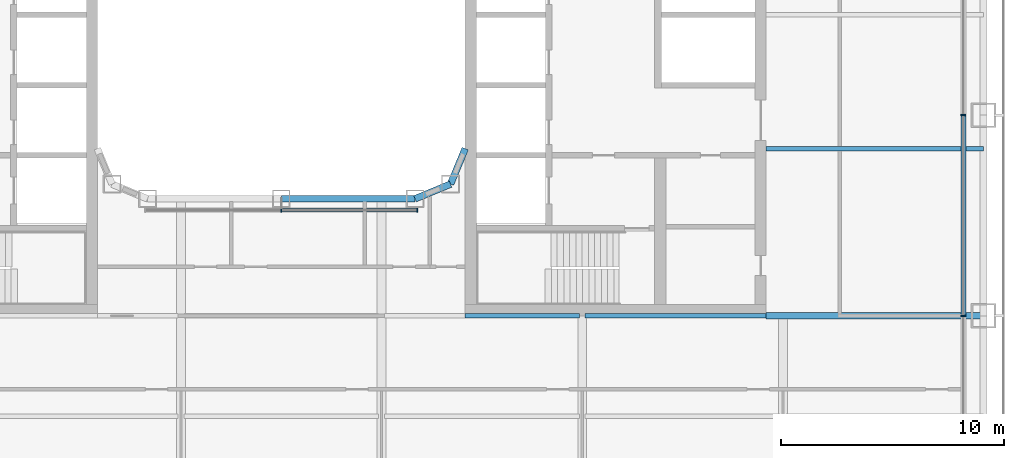
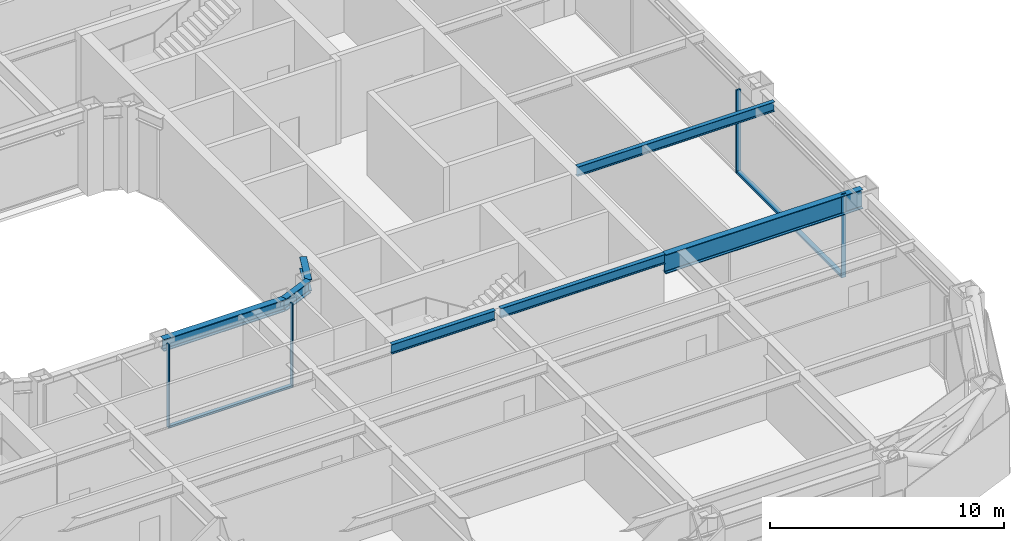
# One storey, part 5 of 29: 7 beams, 6 members, 2 elements without a shape of their own.
"""IFC4 building model written with IfcOpenShell, lengths in metres."""

from ifc_helpers import new_model, si_unit, direction, frame, origin, origin_2d, place, context, subcontext, project, spatial, rectangle, i_section, extrude, material, layer, layer_set, material_profile, profile_set, type_object, element, aggregate, save


model = new_model("IFC4")

# Units and contexts
model_context = context("Model", 3, precision=1e-05, world=origin(), true_north=direction((0.0, 1.0)))
body_context = subcontext(model_context, "Body", "Model", "MODEL_VIEW")
ifc_project = project(units=[si_unit("LENGTHUNIT", "METRE"), si_unit("AREAUNIT", "SQUARE_METRE"), si_unit("VOLUMEUNIT", "CUBIC_METRE"), si_unit("PLANEANGLEUNIT", "RADIAN"), si_unit("MASSUNIT", "GRAM", prefix="KILO")], contexts=[model_context])

# Site, building, storey
site_placement = place(None, origin())
site = spatial("IfcSite", under=ifc_project, at=site_placement, CompositionType="ELEMENT")
building_placement = place(site_placement, origin())
building = spatial("IfcBuilding", under=site, at=building_placement, Name="Siwar Civic Tower", CompositionType="ELEMENT")
storey_placement = place(building_placement, frame((0.0, 0.0, 49.199951171875)))
storey = spatial("IfcBuildingStorey", under=building, at=storey_placement, Name="L10", CompositionType="ELEMENT", Elevation=49.199951171875)

# Curtain wall, members
ifc_material_1 = material(Name="Aluminium and glass", Category="aluminium")
ifc_layer_1 = layer(ifc_material_1, 0.219970703125)
ifc_layer_set_1 = layer_set([ifc_layer_1], Name="Aluminium and glass")
curtain_wall_type_1 = type_object("IfcCurtainWallType", Name="ENV-CW-A", PredefinedType="NOTDEFINED", material=ifc_layer_set_1)
curtain_wall_1_placement = place(storey_placement, origin())
curtain_wall_1 = element("IfcCurtainWall", 1, at=curtain_wall_1_placement, inside=storey, type_object=curtain_wall_type_1, Name="Curtain wall A E", PredefinedType="NOTDEFINED")
ifc_material_2 = material(Name="Aluminium 6063-T6", Category="aluminium")
ifc_material_profile_1 = material_profile(ifc_material_2, rectangle(XDim=0.219970703125, YDim=0.070068359375, at=origin_2d()), Name="AL 220x70")
ifc_profile_set_1 = profile_set([ifc_material_profile_1], Name="Aluminium 6063-T6")
member_type_1 = type_object("IfcMemberType", Name="ENV-MULLION-A", PredefinedType="MULLION", material=ifc_profile_set_1)
member_1_placement = place(storey_placement, frame((30.60009765625, -13.5, 0.0), z_axis=(0.0, 0.0, 1.0), x_axis=(-1.0, 0.0, 0.0)))
member_1 = element("IfcMember", 2, at=member_1_placement, type_object=member_type_1, Name="Mullion A E 2", PredefinedType="MULLION", context=body_context, shape_type="SweptSolid", body=[
    extrude(rectangle(XDim=0.219970703125, YDim=0.070068359375, at=origin_2d()), origin(), (0.0, 0.0, 1.0), 4.35009765625),
])
member_2_placement = place(storey_placement, frame((30.60009765625, -4.5, 0.0), z_axis=(0.0, 0.0, 1.0), x_axis=(-1.0, 0.0, 0.0)))
member_2 = element("IfcMember", 3, at=member_2_placement, type_object=member_type_1, Name="Mullion A E 3", PredefinedType="MULLION", context=body_context, shape_type="SweptSolid", body=[
    extrude(rectangle(XDim=0.219970703125, YDim=0.070068359375, at=origin_2d()), origin(), (0.0, 0.0, 1.0), 4.35009765625),
])

ifc_material_3 = material(Name="Aluminium and glass", Category="aluminium")
ifc_layer_2 = layer(ifc_material_3, 0.179931640625)
ifc_layer_set_2 = layer_set([ifc_layer_2], Name="Aluminium and glass")
curtain_wall_type_2 = type_object("IfcCurtainWallType", Name="ENV-CW-W", PredefinedType="NOTDEFINED", material=ifc_layer_set_2)
curtain_wall_2_placement = place(storey_placement, origin())
curtain_wall_2 = element("IfcCurtainWall", 4, at=curtain_wall_2_placement, inside=storey, type_object=curtain_wall_type_2, Name="Curtain wall W WS", PredefinedType="NOTDEFINED")
ifc_material_4 = material(Name="Aluminium 6063-T6", Category="aluminium")
ifc_material_profile_2 = material_profile(ifc_material_4, rectangle(XDim=0.179931640625, YDim=0.06005859375, at=origin_2d()), Name="AL 180x60")
ifc_profile_set_2 = profile_set([ifc_material_profile_2], Name="Aluminium 6063-T6")
member_type_2 = type_object("IfcMemberType", Name="ENV-MULLION-W", PredefinedType="MULLION", material=ifc_profile_set_2)
member_3_placement = place(storey_placement, frame((0.0, -8.760009765625, 0.0), z_axis=(0.0, 0.0, 1.0), x_axis=(0.0, 1.0, 0.0)))
member_3 = element("IfcMember", 5, at=member_3_placement, type_object=member_type_2, Name="Mullion W WS 2", PredefinedType="MULLION", context=body_context, shape_type="SweptSolid", body=[
    extrude(rectangle(XDim=0.179931640625, YDim=0.06005859375, at=origin_2d()), origin(), (0.0, 0.0, 1.0), 4.35009765625),
])
member_4_placement = place(storey_placement, frame((6.1015625, -8.760009765625, 0.0), z_axis=(0.0, 0.0, 1.0), x_axis=(0.0, 1.0, 0.0)))
member_4 = element("IfcMember", 6, at=member_4_placement, type_object=member_type_2, Name="Mullion W WS 3", PredefinedType="MULLION", context=body_context, shape_type="SweptSolid", body=[
    extrude(rectangle(XDim=0.179931640625, YDim=0.06005859375, at=origin_2d()), origin(), (0.0, 0.0, 1.0), 4.35009765625),
])

# Member
ifc_material_5 = material(Name="Aluminium 6063-T6", Category="aluminium")
ifc_material_profile_3 = material_profile(ifc_material_5, rectangle(XDim=0.219970703125, YDim=0.1201171875, at=origin_2d()), Name="AL 220x120")
ifc_profile_set_3 = profile_set([ifc_material_profile_3], Name="Aluminium 6063-T6")
member_type_3 = type_object("IfcMemberType", Name="ENV-TRANSOM-A", PredefinedType="USERDEFINED", material=ifc_profile_set_3)
member_5_placement = place(storey_placement, frame((30.60009765625, -13.465087890625, 0.06005859375), z_axis=(0.0, 1.0, 0.0), x_axis=(-1.0, 0.0, 0.0)))
member_5 = element("IfcMember", 7, at=member_5_placement, type_object=member_type_3, Name="Transom A E 2", ObjectType="TRANSOM", PredefinedType="USERDEFINED", context=body_context, shape_type="SweptSolid", body=[
    extrude(rectangle(XDim=0.219970703125, YDim=0.1201171875, at=origin_2d()), origin(), (0.0, 0.0, 1.0), 8.93017578125),
])

aggregate(curtain_wall_1, [member_1, member_2, member_5])

ifc_material_6 = material(Name="Aluminium 6063-T6", Category="aluminium")
ifc_material_profile_4 = material_profile(ifc_material_6, rectangle(XDim=0.179931640625, YDim=0.10009765625, at=origin_2d()), Name="AL 180x100")
ifc_profile_set_4 = profile_set([ifc_material_profile_4], Name="Aluminium 6063-T6")
member_type_4 = type_object("IfcMemberType", Name="ENV-TRANSOM-W", PredefinedType="USERDEFINED", material=ifc_profile_set_4)
member_6_placement = place(storey_placement, frame((0.030029296875, -8.760009765625, 0.050048828125), z_axis=(1.0, 0.0, 0.0), x_axis=(0.0, 1.0, 0.0)))
member_6 = element("IfcMember", 8, at=member_6_placement, type_object=member_type_4, Name="Transom W WS 2", ObjectType="TRANSOM", PredefinedType="USERDEFINED", context=body_context, shape_type="SweptSolid", body=[
    extrude(rectangle(XDim=0.179931640625, YDim=0.10009765625, at=origin_2d()), origin(), (0.0, 0.0, 1.0), 6.04150390625),
])

aggregate(curtain_wall_2, [member_3, member_4, member_6])

# Beams
ifc_material_7 = material(Name="Steel S355", Category="steel")
ifc_material_profile_5 = material_profile(ifc_material_7, i_section(OverallWidth=0.199951171875, OverallDepth=0.5, WebThickness=0.01025390625, FlangeThickness=0.01611328125, FilletRadius=0.02099609375, at=origin_2d()), Name="IPE500")
ifc_profile_set_5 = profile_set([ifc_material_profile_5], Name="Steel S355")
beam_type_1 = type_object("IfcBeamType", Name="STR-FB-IPE500", PredefinedType="JOIST", material=ifc_profile_set_5)
beam_1_placement = place(storey_placement, frame((8.25, -13.5, 4.10009765625), z_axis=(1.0, 0.0, 0.0), x_axis=(0.0, 1.0, 0.0)))
element("IfcBeam", 9, at=beam_1_placement, inside=storey, type_object=beam_type_1, Name="L10/bm/F028", PredefinedType="JOIST", context=body_context, shape_type="SweptSolid", body=[
    extrude(i_section(OverallWidth=0.199951171875, OverallDepth=0.5, WebThickness=0.01025390625, FlangeThickness=0.01611328125, FilletRadius=0.02099609375, at=origin_2d()), origin(), (0.0, 0.0, 1.0), 5.1201171875),
])
beam_2_placement = place(storey_placement, frame((13.6298828125, -13.5, 4.10009765625), z_axis=(1.0, 0.0, 0.0), x_axis=(0.0, 1.0, 0.0)))
element("IfcBeam", 10, at=beam_2_placement, inside=storey, type_object=beam_type_1, Name="L10/bm/F029", PredefinedType="JOIST", context=body_context, shape_type="SweptSolid", body=[
    extrude(i_section(OverallWidth=0.199951171875, OverallDepth=0.5, WebThickness=0.01025390625, FlangeThickness=0.01611328125, FilletRadius=0.02099609375, at=origin_2d()), origin(), (0.0, 0.0, 1.0), 8.1201171875),
])
beam_3_placement = place(storey_placement, frame((21.75, -6.0, 4.10009765625), z_axis=(1.0, 0.0, 0.0), x_axis=(0.0, 1.0, 0.0)))
element("IfcBeam", 11, at=beam_3_placement, inside=storey, type_object=beam_type_1, Name="L10/bm/F032", PredefinedType="JOIST", context=body_context, shape_type="SweptSolid", body=[
    extrude(i_section(OverallWidth=0.199951171875, OverallDepth=0.5, WebThickness=0.01025390625, FlangeThickness=0.01611328125, FilletRadius=0.02099609375, at=origin_2d()), origin(), (0.0, 0.0, 1.0), 9.75),
])
ifc_material_8 = material(Name="Steel S355", Category="steel")
ifc_material_profile_6 = material_profile(ifc_material_8, i_section(OverallWidth=0.300048828125, OverallDepth=1.0, WebThickness=0.01904296875, FlangeThickness=0.035888671875, FilletRadius=0.030029296875, at=origin_2d()), Name="HEB1000")
ifc_profile_set_6 = profile_set([ifc_material_profile_6], Name="Steel S355")
beam_type_2 = type_object("IfcBeamType", Name="STR-PG-HEB1000", PredefinedType="BEAM", material=ifc_profile_set_6)
beam_4_placement = place(storey_placement, frame((21.75, -13.5, 3.85009765625), z_axis=(1.0, 0.0, 0.0), x_axis=(0.0, 1.0, 0.0)))
element("IfcBeam", 12, at=beam_4_placement, inside=storey, type_object=beam_type_2, Name="L10/bm/F030", PredefinedType="BEAM", context=body_context, shape_type="SweptSolid", body=[
    extrude(i_section(OverallWidth=0.300048828125, OverallDepth=1.0, WebThickness=0.01904296875, FlangeThickness=0.035888671875, FilletRadius=0.030029296875, at=origin_2d()), origin(), (0.0, 0.0, 1.0), 9.75),
])
ifc_material_9 = material(Name="Steel S355", Category="steel")
ifc_material_profile_7 = material_profile(ifc_material_9, i_section(OverallWidth=0.304931640625, OverallDepth=0.6201171875, WebThickness=0.02099609375, FlangeThickness=0.0400390625, FilletRadius=0.027099609375, at=origin_2d()), Name="HEM600")
ifc_profile_set_7 = profile_set([ifc_material_profile_7], Name="Steel S355")
beam_type_3 = type_object("IfcBeamType", Name="STR-RB-HEM600", PredefinedType="BEAM", material=ifc_profile_set_7)
beam_5_placement = place(storey_placement, frame((0.0, -8.25, 4.0400390625), z_axis=(1.0, 0.0, 0.0), x_axis=(0.0, 1.0, 0.0)))
element("IfcBeam", 13, at=beam_5_placement, inside=storey, type_object=beam_type_3, Name="L10/bm/RS2", PredefinedType="BEAM", context=body_context, shape_type="SweptSolid", body=[
    extrude(i_section(OverallWidth=0.304931640625, OverallDepth=0.6201171875, WebThickness=0.02099609375, FlangeThickness=0.0400390625, FilletRadius=0.027099609375, at=origin_2d()), origin(), (0.0, 0.0, 1.0), 6.0),
])
for number, where, z_axis, x_axis, name in (
    (14, (6.0, -8.25, 4.0400390625), (0.923901072997, 0.382631424892, 0.0), (-0.382631424892, 0.923901072997, 0.0), "L10/bm/RS3"),
    (15, (7.591064453125, -7.591064453125, 4.0400390625), (0.382631424892, 0.923901072997, 0.0), (-0.923901072997, 0.382631424892, 0.0), "L10/bm/RSEE"),
):
    element("IfcBeam", number, at=place(storey_placement, frame(where, z_axis=z_axis, x_axis=x_axis)), inside=storey, type_object=beam_type_3, Name=name, PredefinedType="BEAM", context=body_context, shape_type="SweptSolid", body=[
        extrude(i_section(OverallWidth=0.304931640625, OverallDepth=0.6201171875, WebThickness=0.02099609375, FlangeThickness=0.0400390625, FilletRadius=0.027099609375, at=origin_2d()), origin(), (0.0, 0.0, 1.0), 1.72216796875),
    ])

save(model, "model.ifc")
